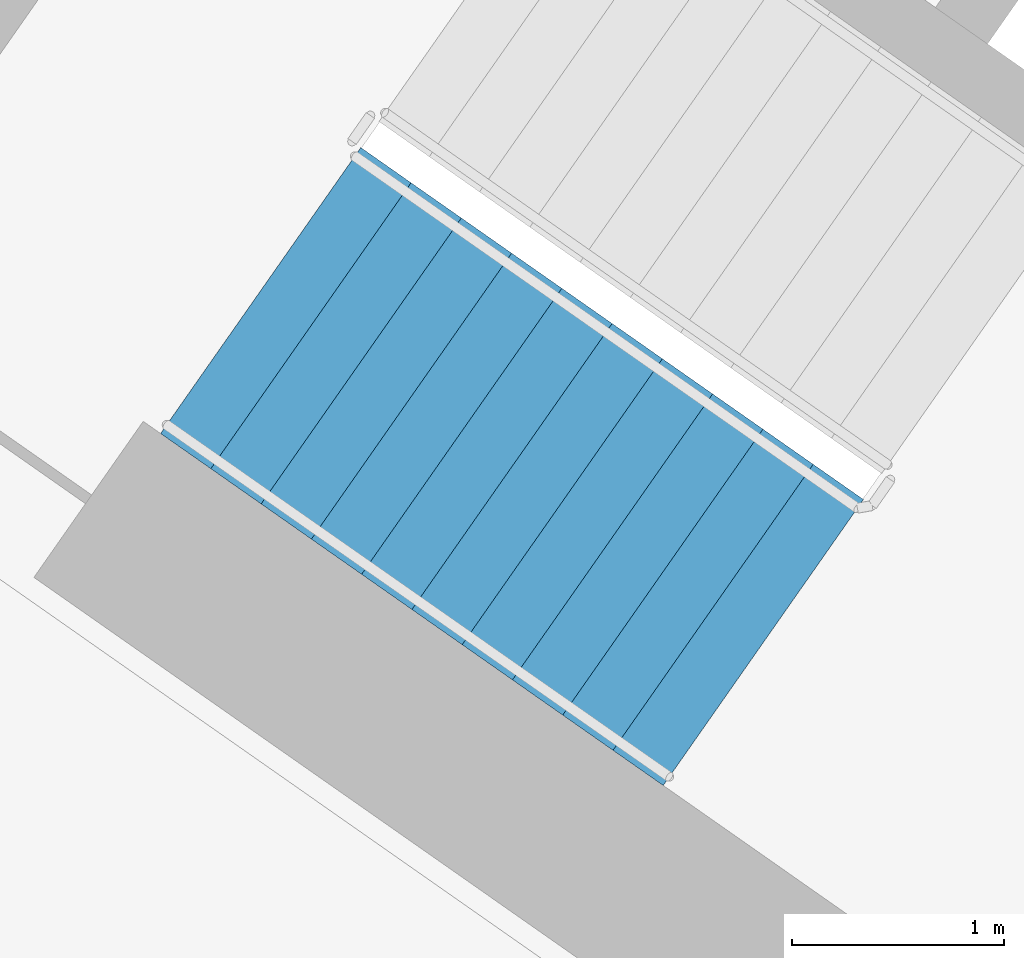
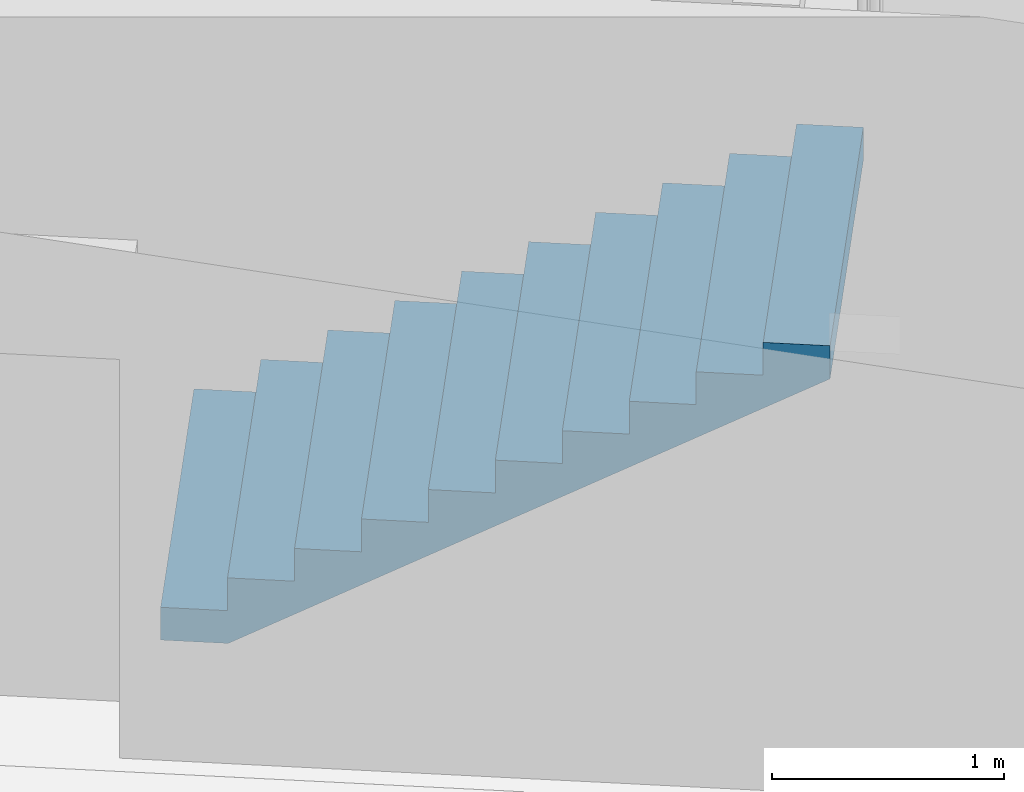
# One storey, part 10 of 30: 1 stair flight, 1 element without a shape of its own.
"""IFC4 building model written with IfcOpenShell, lengths in metres."""

from ifc_helpers import new_model, si_unit, direction, frame, origin, place, context, subcontext, project, spatial, faceted_brep, material, type_object, element, aggregate, save


model = new_model("IFC4")

# Units and contexts
model_context = context("Model", 3, precision=1e-05, world=origin(), true_north=direction((0.0, 1.0)))
body_context = subcontext(model_context, "Body", "Model", "MODEL_VIEW")
ifc_project = project(units=[si_unit("LENGTHUNIT", "METRE"), si_unit("AREAUNIT", "SQUARE_METRE"), si_unit("VOLUMEUNIT", "CUBIC_METRE"), si_unit("PLANEANGLEUNIT", "RADIAN"), si_unit("MASSUNIT", "GRAM", prefix="KILO")], contexts=[model_context])

# Site, building, storey
site_placement = place(None, origin())
site = spatial("IfcSite", under=ifc_project, at=site_placement, CompositionType="ELEMENT")
building_placement = place(site_placement, origin())
building = spatial("IfcBuilding", under=site, at=building_placement, Name="Qamariyya Broadcast Tower", CompositionType="ELEMENT")
storey_placement = place(building_placement, frame((0.0, 0.0, 117.699951171875)))
storey = spatial("IfcBuildingStorey", under=building, at=storey_placement, Name="L26", CompositionType="ELEMENT", Elevation=117.699951171875)

# Stair, stair flight
ifc_material = material(Name="Concrete C50/60", Category="concrete")
stair_type = type_object("IfcStairType", Name="Exit stair 22 risers of 173 mm", PredefinedType="HALF_TURN_STAIR", material=ifc_material)
stair_placement = place(storey_placement, origin())
stair = element("IfcStair", 1, at=stair_placement, inside=storey, type_object=stair_type, Name="L26 Stair W1", PredefinedType="HALF_TURN_STAIR")
stair_flight_type = type_object("IfcStairFlightType", Name="Exit stair flight 11 risers of 173 mm", PredefinedType="STRAIGHT", material=ifc_material)
stair_flight_placement = place(storey_placement, frame((-47.06884765625, -56.982666015625, 0.0), z_axis=(0.0, 0.0, 1.0), x_axis=(0.819152044289, -0.573576436351, 0.0)))
stair_flight = element("IfcStairFlight", 2, at=stair_flight_placement, type_object=stair_flight_type, Name="ST-W1 flight 1", NumberOfRisers=11, NumberOfTreads=10, PredefinedType="STRAIGHT", RiserHeight=0.172727273, TreadLength=0.29, context=body_context, shape_type="Brep", body=[
    faceted_brep([(0.0, 0.824951171875, 0.0), (0.0, 0.824951171875, 0.172607421875), (0.2900390625, 0.824951171875, 0.172607421875), (0.2900390625, 0.824951171875, 0.345458984375), (0.580078125, 0.824951171875, 0.345458984375), (0.580078125, 0.824951171875, 0.51806640625), (0.8701171875, 0.824951171875, 0.51806640625), (0.8701171875, 0.824951171875, 0.69091796875), (1.159912109375, 0.824951171875, 0.69091796875), (1.159912109375, 0.824951171875, 0.863525390625), (1.449951171875, 0.824951171875, 0.863525390625), (1.449951171875, 0.824951171875, 1.036376953125), (1.739990234375, 0.824951171875, 1.036376953125), (1.739990234375, 0.824951171875, 1.208984375), (2.030029296875, 0.824951171875, 1.208984375), (2.030029296875, 0.824951171875, 1.3818359375), (2.320068359375, 0.824951171875, 1.3818359375), (2.320068359375, 0.824951171875, 1.554443359375), (2.610107421875, 0.824951171875, 1.554443359375), (2.610107421875, 0.824951171875, 1.727294921875), (2.89990234375, 0.824951171875, 1.727294921875), (2.89990234375, 0.824951171875, 1.552734375), (0.29296875, 0.824951171875, 0.0), (0.29296875, -0.824951171875, 0.0), (2.89990234375, -0.824951171875, 1.552734375), (2.89990234375, -0.824951171875, 1.727294921875), (2.610107421875, -0.824951171875, 1.727294921875), (2.610107421875, -0.824951171875, 1.554443359375), (2.320068359375, -0.824951171875, 1.554443359375), (2.320068359375, -0.824951171875, 1.3818359375), (2.030029296875, -0.824951171875, 1.3818359375), (2.030029296875, -0.824951171875, 1.208984375), (1.739990234375, -0.824951171875, 1.208984375), (1.739990234375, -0.824951171875, 1.036376953125), (1.449951171875, -0.824951171875, 1.036376953125), (1.449951171875, -0.824951171875, 0.863525390625), (1.159912109375, -0.824951171875, 0.863525390625), (1.159912109375, -0.824951171875, 0.69091796875), (0.8701171875, -0.824951171875, 0.69091796875), (0.8701171875, -0.824951171875, 0.51806640625), (0.580078125, -0.824951171875, 0.51806640625), (0.580078125, -0.824951171875, 0.345458984375), (0.2900390625, -0.824951171875, 0.345458984375), (0.2900390625, -0.824951171875, 0.172607421875), (0.0, -0.824951171875, 0.172607421875), (0.0, -0.824951171875, 0.0), (0.0, 0.10009765625, 0.0), (0.0, 0.086669921875, 0.0), (0.0, 0.0732421875, 0.0), (0.0, 0.06005859375, 0.0), (0.0, 0.046630859375, 0.0), (0.0, 0.033447265625, 0.0), (0.0, 0.02001953125, 0.0), (0.0, 0.006591796875, 0.0), (0.0, -0.006591796875, 0.0), (0.0, -0.02001953125, 0.0), (0.0, -0.033447265625, 0.0), (0.0, -0.046630859375, 0.0), (0.0, -0.06005859375, 0.0), (0.0, -0.0732421875, 0.0), (0.0, -0.086669921875, 0.0), (0.0, -0.10009765625, 0.0), (0.0, -0.10009765625, 0.172607421875), (0.0, -0.086669921875, 0.172607421875), (0.0, -0.0732421875, 0.172607421875), (0.0, -0.06005859375, 0.172607421875), (0.0, -0.046630859375, 0.172607421875), (0.0, -0.033447265625, 0.172607421875), (0.0, -0.02001953125, 0.172607421875), (0.0, -0.006591796875, 0.172607421875), (0.0, 0.006591796875, 0.172607421875), (0.0, 0.02001953125, 0.172607421875), (0.0, 0.033447265625, 0.172607421875), (0.0, 0.046630859375, 0.172607421875), (0.0, 0.06005859375, 0.172607421875), (0.0, 0.0732421875, 0.172607421875), (0.0, 0.086669921875, 0.172607421875), (0.0, 0.10009765625, 0.172607421875), (0.2900390625, -0.10009765625, 0.172607421875), (0.2900390625, -0.086669921875, 0.172607421875), (0.2900390625, -0.0732421875, 0.172607421875), (0.2900390625, -0.06005859375, 0.172607421875), (0.2900390625, -0.046630859375, 0.172607421875), (0.2900390625, -0.033447265625, 0.172607421875), (0.2900390625, -0.02001953125, 0.172607421875), (0.2900390625, -0.006591796875, 0.172607421875), (0.2900390625, 0.006591796875, 0.172607421875), (0.2900390625, 0.02001953125, 0.172607421875), (0.2900390625, 0.033447265625, 0.172607421875), (0.2900390625, 0.046630859375, 0.172607421875), (0.2900390625, 0.06005859375, 0.172607421875), (0.2900390625, 0.0732421875, 0.172607421875), (0.2900390625, 0.086669921875, 0.172607421875), (0.2900390625, 0.10009765625, 0.172607421875), (0.2900390625, -0.10009765625, 0.345458984375), (0.2900390625, -0.086669921875, 0.345458984375), (0.2900390625, -0.0732421875, 0.345458984375), (0.2900390625, -0.06005859375, 0.345458984375), (0.2900390625, -0.046630859375, 0.345458984375), (0.2900390625, -0.033447265625, 0.345458984375), (0.2900390625, -0.02001953125, 0.345458984375), (0.2900390625, -0.006591796875, 0.345458984375), (0.2900390625, 0.006591796875, 0.345458984375), (0.2900390625, 0.02001953125, 0.345458984375), (0.2900390625, 0.033447265625, 0.345458984375), (0.2900390625, 0.046630859375, 0.345458984375), (0.2900390625, 0.06005859375, 0.345458984375), (0.2900390625, 0.0732421875, 0.345458984375), (0.2900390625, 0.086669921875, 0.345458984375), (0.2900390625, 0.10009765625, 0.345458984375), (0.580078125, -0.10009765625, 0.345458984375), (0.580078125, -0.086669921875, 0.345458984375), (0.580078125, -0.0732421875, 0.345458984375), (0.580078125, -0.06005859375, 0.345458984375), (0.580078125, -0.046630859375, 0.345458984375), (0.580078125, -0.033447265625, 0.345458984375), (0.580078125, -0.02001953125, 0.345458984375), (0.580078125, -0.006591796875, 0.345458984375), (0.580078125, 0.006591796875, 0.345458984375), (0.580078125, 0.02001953125, 0.345458984375), (0.580078125, 0.033447265625, 0.345458984375), (0.580078125, 0.046630859375, 0.345458984375), (0.580078125, 0.06005859375, 0.345458984375), (0.580078125, 0.0732421875, 0.345458984375), (0.580078125, 0.086669921875, 0.345458984375), (0.580078125, 0.10009765625, 0.345458984375), (0.580078125, -0.10009765625, 0.51806640625), (0.580078125, -0.086669921875, 0.51806640625), (0.580078125, -0.0732421875, 0.51806640625), (0.580078125, -0.06005859375, 0.51806640625), (0.580078125, -0.046630859375, 0.51806640625), (0.580078125, -0.033447265625, 0.51806640625), (0.580078125, -0.02001953125, 0.51806640625), (0.580078125, -0.006591796875, 0.51806640625), (0.580078125, 0.006591796875, 0.51806640625), (0.580078125, 0.02001953125, 0.51806640625), (0.580078125, 0.033447265625, 0.51806640625), (0.580078125, 0.046630859375, 0.51806640625), (0.580078125, 0.06005859375, 0.51806640625), (0.580078125, 0.0732421875, 0.51806640625), (0.580078125, 0.086669921875, 0.51806640625), (0.580078125, 0.10009765625, 0.51806640625), (0.8701171875, -0.10009765625, 0.51806640625), (0.8701171875, -0.086669921875, 0.51806640625), (0.8701171875, -0.0732421875, 0.51806640625), (0.8701171875, -0.06005859375, 0.51806640625), (0.8701171875, -0.046630859375, 0.51806640625), (0.8701171875, -0.033447265625, 0.51806640625), (0.8701171875, -0.02001953125, 0.51806640625), (0.8701171875, -0.006591796875, 0.51806640625), (0.8701171875, 0.006591796875, 0.51806640625), (0.8701171875, 0.02001953125, 0.51806640625), (0.8701171875, 0.033447265625, 0.51806640625), (0.8701171875, 0.046630859375, 0.51806640625), (0.8701171875, 0.06005859375, 0.51806640625), (0.8701171875, 0.0732421875, 0.51806640625), (0.8701171875, 0.086669921875, 0.51806640625), (0.8701171875, 0.10009765625, 0.51806640625), (0.8701171875, -0.10009765625, 0.69091796875), (0.8701171875, -0.086669921875, 0.69091796875), (0.8701171875, -0.0732421875, 0.69091796875), (0.8701171875, -0.06005859375, 0.69091796875), (0.8701171875, -0.046630859375, 0.69091796875), (0.8701171875, -0.033447265625, 0.69091796875), (0.8701171875, -0.02001953125, 0.69091796875), (0.8701171875, -0.006591796875, 0.69091796875), (0.8701171875, 0.006591796875, 0.69091796875), (0.8701171875, 0.02001953125, 0.69091796875), (0.8701171875, 0.033447265625, 0.69091796875), (0.8701171875, 0.046630859375, 0.69091796875), (0.8701171875, 0.06005859375, 0.69091796875), (0.8701171875, 0.0732421875, 0.69091796875), (0.8701171875, 0.086669921875, 0.69091796875), (0.8701171875, 0.10009765625, 0.69091796875), (1.159912109375, -0.10009765625, 0.69091796875), (1.159912109375, -0.086669921875, 0.69091796875), (1.159912109375, -0.0732421875, 0.69091796875), (1.159912109375, -0.06005859375, 0.69091796875), (1.159912109375, -0.046630859375, 0.69091796875), (1.159912109375, -0.033447265625, 0.69091796875), (1.159912109375, -0.02001953125, 0.69091796875), (1.159912109375, -0.006591796875, 0.69091796875), (1.159912109375, 0.006591796875, 0.69091796875), (1.159912109375, 0.02001953125, 0.69091796875), (1.159912109375, 0.033447265625, 0.69091796875), (1.159912109375, 0.046630859375, 0.69091796875), (1.159912109375, 0.06005859375, 0.69091796875), (1.159912109375, 0.0732421875, 0.69091796875), (1.159912109375, 0.086669921875, 0.69091796875), (1.159912109375, 0.10009765625, 0.69091796875), (1.159912109375, -0.10009765625, 0.863525390625), (1.159912109375, -0.086669921875, 0.863525390625), (1.159912109375, -0.0732421875, 0.863525390625), (1.159912109375, -0.06005859375, 0.863525390625), (1.159912109375, -0.046630859375, 0.863525390625), (1.159912109375, -0.033447265625, 0.863525390625), (1.159912109375, -0.02001953125, 0.863525390625), (1.159912109375, -0.006591796875, 0.863525390625), (1.159912109375, 0.006591796875, 0.863525390625), (1.159912109375, 0.02001953125, 0.863525390625), (1.159912109375, 0.033447265625, 0.863525390625), (1.159912109375, 0.046630859375, 0.863525390625), (1.159912109375, 0.06005859375, 0.863525390625), (1.159912109375, 0.0732421875, 0.863525390625), (1.159912109375, 0.086669921875, 0.863525390625), (1.159912109375, 0.10009765625, 0.863525390625), (1.449951171875, -0.10009765625, 0.863525390625), (1.449951171875, -0.086669921875, 0.863525390625), (1.449951171875, -0.0732421875, 0.863525390625), (1.449951171875, -0.06005859375, 0.863525390625), (1.449951171875, -0.046630859375, 0.863525390625), (1.449951171875, -0.033447265625, 0.863525390625), (1.449951171875, -0.02001953125, 0.863525390625), (1.449951171875, -0.006591796875, 0.863525390625), (1.449951171875, 0.006591796875, 0.863525390625), (1.449951171875, 0.02001953125, 0.863525390625), (1.449951171875, 0.033447265625, 0.863525390625), (1.449951171875, 0.046630859375, 0.863525390625), (1.449951171875, 0.06005859375, 0.863525390625), (1.449951171875, 0.0732421875, 0.863525390625), (1.449951171875, 0.086669921875, 0.863525390625), (1.449951171875, 0.10009765625, 0.863525390625), (1.449951171875, -0.10009765625, 1.036376953125), (1.449951171875, -0.086669921875, 1.036376953125), (1.449951171875, -0.0732421875, 1.036376953125), (1.449951171875, -0.06005859375, 1.036376953125), (1.449951171875, -0.046630859375, 1.036376953125), (1.449951171875, -0.033447265625, 1.036376953125), (1.449951171875, -0.02001953125, 1.036376953125), (1.449951171875, -0.006591796875, 1.036376953125), (1.449951171875, 0.006591796875, 1.036376953125), (1.449951171875, 0.02001953125, 1.036376953125), (1.449951171875, 0.033447265625, 1.036376953125), (1.449951171875, 0.046630859375, 1.036376953125), (1.449951171875, 0.06005859375, 1.036376953125), (1.449951171875, 0.0732421875, 1.036376953125), (1.449951171875, 0.086669921875, 1.036376953125), (1.449951171875, 0.10009765625, 1.036376953125), (1.739990234375, -0.10009765625, 1.036376953125), (1.739990234375, -0.086669921875, 1.036376953125), (1.739990234375, -0.0732421875, 1.036376953125), (1.739990234375, -0.06005859375, 1.036376953125), (1.739990234375, -0.046630859375, 1.036376953125), (1.739990234375, -0.033447265625, 1.036376953125), (1.739990234375, -0.02001953125, 1.036376953125), (1.739990234375, -0.006591796875, 1.036376953125), (1.739990234375, 0.006591796875, 1.036376953125), (1.739990234375, 0.02001953125, 1.036376953125), (1.739990234375, 0.033447265625, 1.036376953125), (1.739990234375, 0.046630859375, 1.036376953125), (1.739990234375, 0.06005859375, 1.036376953125), (1.739990234375, 0.0732421875, 1.036376953125), (1.739990234375, 0.086669921875, 1.036376953125), (1.739990234375, 0.10009765625, 1.036376953125), (1.739990234375, -0.10009765625, 1.208984375), (1.739990234375, -0.086669921875, 1.208984375), (1.739990234375, -0.0732421875, 1.208984375), (1.739990234375, -0.06005859375, 1.208984375), (1.739990234375, -0.046630859375, 1.208984375), (1.739990234375, -0.033447265625, 1.208984375), (1.739990234375, -0.02001953125, 1.208984375), (1.739990234375, -0.006591796875, 1.208984375), (1.739990234375, 0.006591796875, 1.208984375), (1.739990234375, 0.02001953125, 1.208984375), (1.739990234375, 0.033447265625, 1.208984375), (1.739990234375, 0.046630859375, 1.208984375), (1.739990234375, 0.06005859375, 1.208984375), (1.739990234375, 0.0732421875, 1.208984375), (1.739990234375, 0.086669921875, 1.208984375), (1.739990234375, 0.10009765625, 1.208984375), (2.030029296875, -0.10009765625, 1.208984375), (2.030029296875, -0.086669921875, 1.208984375), (2.030029296875, -0.0732421875, 1.208984375), (2.030029296875, -0.06005859375, 1.208984375), (2.030029296875, -0.046630859375, 1.208984375), (2.030029296875, -0.033447265625, 1.208984375), (2.030029296875, -0.02001953125, 1.208984375), (2.030029296875, -0.006591796875, 1.208984375), (2.030029296875, 0.006591796875, 1.208984375), (2.030029296875, 0.02001953125, 1.208984375), (2.030029296875, 0.033447265625, 1.208984375), (2.030029296875, 0.046630859375, 1.208984375), (2.030029296875, 0.06005859375, 1.208984375), (2.030029296875, 0.0732421875, 1.208984375), (2.030029296875, 0.086669921875, 1.208984375), (2.030029296875, 0.10009765625, 1.208984375), (2.030029296875, -0.10009765625, 1.3818359375), (2.030029296875, -0.086669921875, 1.3818359375), (2.030029296875, -0.0732421875, 1.3818359375), (2.030029296875, -0.06005859375, 1.3818359375), (2.030029296875, -0.046630859375, 1.3818359375), (2.030029296875, -0.033447265625, 1.3818359375), (2.030029296875, -0.02001953125, 1.3818359375), (2.030029296875, -0.006591796875, 1.3818359375), (2.030029296875, 0.006591796875, 1.3818359375), (2.030029296875, 0.02001953125, 1.3818359375), (2.030029296875, 0.033447265625, 1.3818359375), (2.030029296875, 0.046630859375, 1.3818359375), (2.030029296875, 0.06005859375, 1.3818359375), (2.030029296875, 0.0732421875, 1.3818359375), (2.030029296875, 0.086669921875, 1.3818359375), (2.030029296875, 0.10009765625, 1.3818359375), (2.320068359375, -0.10009765625, 1.3818359375), (2.320068359375, -0.086669921875, 1.3818359375), (2.320068359375, -0.0732421875, 1.3818359375), (2.320068359375, -0.06005859375, 1.3818359375), (2.320068359375, -0.046630859375, 1.3818359375), (2.320068359375, -0.033447265625, 1.3818359375), (2.320068359375, -0.02001953125, 1.3818359375), (2.320068359375, -0.006591796875, 1.3818359375), (2.320068359375, 0.006591796875, 1.3818359375), (2.320068359375, 0.02001953125, 1.3818359375), (2.320068359375, 0.033447265625, 1.3818359375), (2.320068359375, 0.046630859375, 1.3818359375), (2.320068359375, 0.06005859375, 1.3818359375), (2.320068359375, 0.0732421875, 1.3818359375), (2.320068359375, 0.086669921875, 1.3818359375), (2.320068359375, 0.10009765625, 1.3818359375), (2.320068359375, -0.10009765625, 1.554443359375), (2.320068359375, -0.086669921875, 1.554443359375), (2.320068359375, -0.0732421875, 1.554443359375), (2.320068359375, -0.06005859375, 1.554443359375), (2.320068359375, -0.046630859375, 1.554443359375), (2.320068359375, -0.033447265625, 1.554443359375), (2.320068359375, -0.02001953125, 1.554443359375), (2.320068359375, -0.006591796875, 1.554443359375), (2.320068359375, 0.006591796875, 1.554443359375), (2.320068359375, 0.02001953125, 1.554443359375), (2.320068359375, 0.033447265625, 1.554443359375), (2.320068359375, 0.046630859375, 1.554443359375), (2.320068359375, 0.06005859375, 1.554443359375), (2.320068359375, 0.0732421875, 1.554443359375), (2.320068359375, 0.086669921875, 1.554443359375), (2.320068359375, 0.10009765625, 1.554443359375), (2.610107421875, -0.10009765625, 1.554443359375), (2.610107421875, -0.086669921875, 1.554443359375), (2.610107421875, -0.0732421875, 1.554443359375), (2.610107421875, -0.06005859375, 1.554443359375), (2.610107421875, -0.046630859375, 1.554443359375), (2.610107421875, -0.033447265625, 1.554443359375), (2.610107421875, -0.02001953125, 1.554443359375), (2.610107421875, -0.006591796875, 1.554443359375), (2.610107421875, 0.006591796875, 1.554443359375), (2.610107421875, 0.02001953125, 1.554443359375), (2.610107421875, 0.033447265625, 1.554443359375), (2.610107421875, 0.046630859375, 1.554443359375), (2.610107421875, 0.06005859375, 1.554443359375), (2.610107421875, 0.0732421875, 1.554443359375), (2.610107421875, 0.086669921875, 1.554443359375), (2.610107421875, 0.10009765625, 1.554443359375), (2.610107421875, -0.10009765625, 1.727294921875), (2.610107421875, -0.086669921875, 1.727294921875), (2.610107421875, -0.0732421875, 1.727294921875), (2.610107421875, -0.06005859375, 1.727294921875), (2.610107421875, -0.046630859375, 1.727294921875), (2.610107421875, -0.033447265625, 1.727294921875), (2.610107421875, -0.02001953125, 1.727294921875), (2.610107421875, -0.006591796875, 1.727294921875), (2.610107421875, 0.006591796875, 1.727294921875), (2.610107421875, 0.02001953125, 1.727294921875), (2.610107421875, 0.033447265625, 1.727294921875), (2.610107421875, 0.046630859375, 1.727294921875), (2.610107421875, 0.06005859375, 1.727294921875), (2.610107421875, 0.0732421875, 1.727294921875), (2.610107421875, 0.086669921875, 1.727294921875), (2.610107421875, 0.10009765625, 1.727294921875), (2.89990234375, -0.10009765625, 1.727294921875), (2.89990234375, -0.086669921875, 1.727294921875), (2.89990234375, -0.0732421875, 1.727294921875), (2.89990234375, -0.06005859375, 1.727294921875), (2.89990234375, -0.046630859375, 1.727294921875), (2.89990234375, -0.033447265625, 1.727294921875), (2.89990234375, -0.02001953125, 1.727294921875), (2.89990234375, -0.006591796875, 1.727294921875), (2.89990234375, 0.006591796875, 1.727294921875), (2.89990234375, 0.02001953125, 1.727294921875), (2.89990234375, 0.033447265625, 1.727294921875), (2.89990234375, 0.046630859375, 1.727294921875), (2.89990234375, 0.06005859375, 1.727294921875), (2.89990234375, 0.0732421875, 1.727294921875), (2.89990234375, 0.086669921875, 1.727294921875), (2.89990234375, 0.10009765625, 1.727294921875), (2.89990234375, -0.10009765625, 1.552734375), (2.89990234375, -0.086669921875, 1.552734375), (2.89990234375, -0.0732421875, 1.552734375), (2.89990234375, -0.06005859375, 1.552734375), (2.89990234375, -0.046630859375, 1.552734375), (2.89990234375, -0.033447265625, 1.552734375), (2.89990234375, -0.02001953125, 1.552734375), (2.89990234375, -0.006591796875, 1.552734375), (2.89990234375, 0.006591796875, 1.552734375), (2.89990234375, 0.02001953125, 1.552734375), (2.89990234375, 0.033447265625, 1.552734375), (2.89990234375, 0.046630859375, 1.552734375), (2.89990234375, 0.06005859375, 1.552734375), (2.89990234375, 0.0732421875, 1.552734375), (2.89990234375, 0.086669921875, 1.552734375), (2.89990234375, 0.10009765625, 1.552734375), (0.29296875, -0.10009765625, 0.0), (0.29296875, -0.086669921875, 0.0), (0.29296875, -0.0732421875, 0.0), (0.29296875, -0.06005859375, 0.0), (0.29296875, -0.046630859375, 0.0), (0.29296875, -0.033447265625, 0.0), (0.29296875, -0.02001953125, 0.0), (0.29296875, -0.006591796875, 0.0), (0.29296875, 0.006591796875, 0.0), (0.29296875, 0.02001953125, 0.0), (0.29296875, 0.033447265625, 0.0), (0.29296875, 0.046630859375, 0.0), (0.29296875, 0.06005859375, 0.0), (0.29296875, 0.0732421875, 0.0), (0.29296875, 0.086669921875, 0.0), (0.29296875, 0.10009765625, 0.0)], [[[0, 1, 2, 3, 4, 5, 6, 7, 8, 9, 10, 11, 12, 13, 14, 15, 16, 17, 18, 19, 20, 21, 22]], [[23, 24, 25, 26, 27, 28, 29, 30, 31, 32, 33, 34, 35, 36, 37, 38, 39, 40, 41, 42, 43, 44, 45]], [[0, 46, 47, 48, 49, 50, 51, 52, 53, 54, 55, 56, 57, 58, 59, 60, 61, 45, 44, 62, 63, 64, 65, 66, 67, 68, 69, 70, 71, 72, 73, 74, 75, 76, 77, 1]], [[1, 77, 76, 75, 74, 73, 72, 71, 70, 69, 68, 67, 66, 65, 64, 63, 62, 44, 43, 78, 79, 80, 81, 82, 83, 84, 85, 86, 87, 88, 89, 90, 91, 92, 93, 2]], [[2, 93, 92, 91, 90, 89, 88, 87, 86, 85, 84, 83, 82, 81, 80, 79, 78, 43, 42, 94, 95, 96, 97, 98, 99, 100, 101, 102, 103, 104, 105, 106, 107, 108, 109, 3]], [[3, 109, 108, 107, 106, 105, 104, 103, 102, 101, 100, 99, 98, 97, 96, 95, 94, 42, 41, 110, 111, 112, 113, 114, 115, 116, 117, 118, 119, 120, 121, 122, 123, 124, 125, 4]], [[4, 125, 124, 123, 122, 121, 120, 119, 118, 117, 116, 115, 114, 113, 112, 111, 110, 41, 40, 126, 127, 128, 129, 130, 131, 132, 133, 134, 135, 136, 137, 138, 139, 140, 141, 5]], [[5, 141, 140, 139, 138, 137, 136, 135, 134, 133, 132, 131, 130, 129, 128, 127, 126, 40, 39, 142, 143, 144, 145, 146, 147, 148, 149, 150, 151, 152, 153, 154, 155, 156, 157, 6]], [[6, 157, 156, 155, 154, 153, 152, 151, 150, 149, 148, 147, 146, 145, 144, 143, 142, 39, 38, 158, 159, 160, 161, 162, 163, 164, 165, 166, 167, 168, 169, 170, 171, 172, 173, 7]], [[7, 173, 172, 171, 170, 169, 168, 167, 166, 165, 164, 163, 162, 161, 160, 159, 158, 38, 37, 174, 175, 176, 177, 178, 179, 180, 181, 182, 183, 184, 185, 186, 187, 188, 189, 8]], [[8, 189, 188, 187, 186, 185, 184, 183, 182, 181, 180, 179, 178, 177, 176, 175, 174, 37, 36, 190, 191, 192, 193, 194, 195, 196, 197, 198, 199, 200, 201, 202, 203, 204, 205, 9]], [[9, 205, 204, 203, 202, 201, 200, 199, 198, 197, 196, 195, 194, 193, 192, 191, 190, 36, 35, 206, 207, 208, 209, 210, 211, 212, 213, 214, 215, 216, 217, 218, 219, 220, 221, 10]], [[10, 221, 220, 219, 218, 217, 216, 215, 214, 213, 212, 211, 210, 209, 208, 207, 206, 35, 34, 222, 223, 224, 225, 226, 227, 228, 229, 230, 231, 232, 233, 234, 235, 236, 237, 11]], [[11, 237, 236, 235, 234, 233, 232, 231, 230, 229, 228, 227, 226, 225, 224, 223, 222, 34, 33, 238, 239, 240, 241, 242, 243, 244, 245, 246, 247, 248, 249, 250, 251, 252, 253, 12]], [[12, 253, 252, 251, 250, 249, 248, 247, 246, 245, 244, 243, 242, 241, 240, 239, 238, 33, 32, 254, 255, 256, 257, 258, 259, 260, 261, 262, 263, 264, 265, 266, 267, 268, 269, 13]], [[13, 269, 268, 267, 266, 265, 264, 263, 262, 261, 260, 259, 258, 257, 256, 255, 254, 32, 31, 270, 271, 272, 273, 274, 275, 276, 277, 278, 279, 280, 281, 282, 283, 284, 285, 14]], [[14, 285, 284, 283, 282, 281, 280, 279, 278, 277, 276, 275, 274, 273, 272, 271, 270, 31, 30, 286, 287, 288, 289, 290, 291, 292, 293, 294, 295, 296, 297, 298, 299, 300, 301, 15]], [[15, 301, 300, 299, 298, 297, 296, 295, 294, 293, 292, 291, 290, 289, 288, 287, 286, 30, 29, 302, 303, 304, 305, 306, 307, 308, 309, 310, 311, 312, 313, 314, 315, 316, 317, 16]], [[16, 317, 316, 315, 314, 313, 312, 311, 310, 309, 308, 307, 306, 305, 304, 303, 302, 29, 28, 318, 319, 320, 321, 322, 323, 324, 325, 326, 327, 328, 329, 330, 331, 332, 333, 17]], [[17, 333, 332, 331, 330, 329, 328, 327, 326, 325, 324, 323, 322, 321, 320, 319, 318, 28, 27, 334, 335, 336, 337, 338, 339, 340, 341, 342, 343, 344, 345, 346, 347, 348, 349, 18]], [[18, 349, 348, 347, 346, 345, 344, 343, 342, 341, 340, 339, 338, 337, 336, 335, 334, 27, 26, 350, 351, 352, 353, 354, 355, 356, 357, 358, 359, 360, 361, 362, 363, 364, 365, 19]], [[19, 365, 364, 363, 362, 361, 360, 359, 358, 357, 356, 355, 354, 353, 352, 351, 350, 26, 25, 366, 367, 368, 369, 370, 371, 372, 373, 374, 375, 376, 377, 378, 379, 380, 381, 20]], [[20, 381, 380, 379, 378, 377, 376, 375, 374, 373, 372, 371, 370, 369, 368, 367, 366, 25, 24, 382, 383, 384, 385, 386, 387, 388, 389, 390, 391, 392, 393, 394, 395, 396, 397, 21]], [[21, 397, 396, 395, 394, 393, 392, 391, 390, 389, 388, 387, 386, 385, 384, 383, 382, 24, 23, 398, 399, 400, 401, 402, 403, 404, 405, 406, 407, 408, 409, 410, 411, 412, 413, 22]], [[22, 413, 412, 411, 410, 409, 408, 407, 406, 405, 404, 403, 402, 401, 400, 399, 398, 23, 45, 61, 60, 59, 58, 57, 56, 55, 54, 53, 52, 51, 50, 49, 48, 47, 46, 0]]]),
])
aggregate(stair, [stair_flight])

save(model, "model.ifc")
